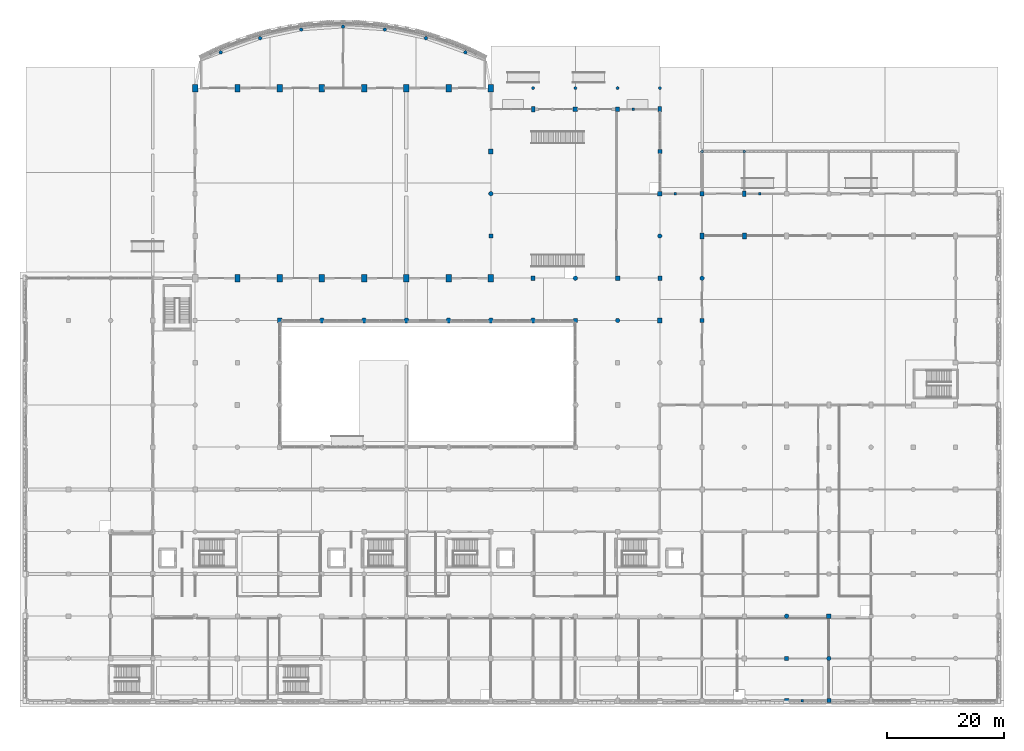
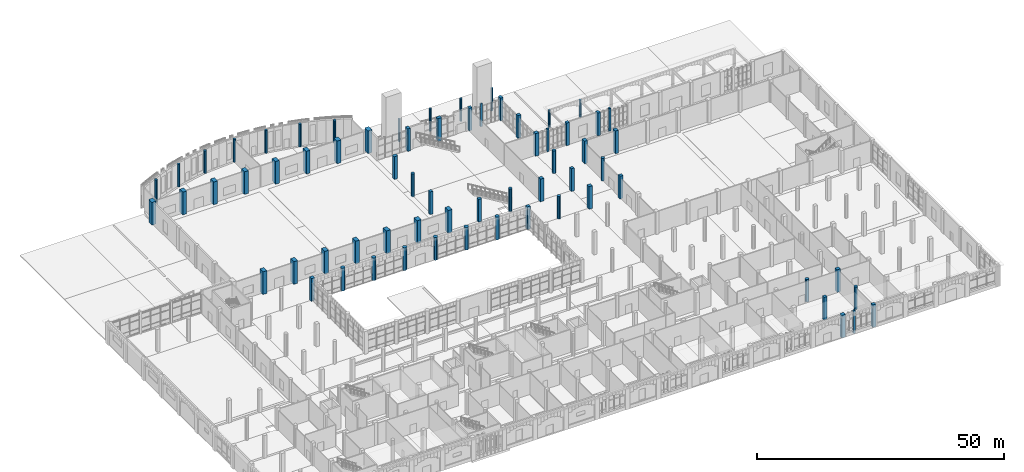
# One storey, part 6 of 85: 68 columns.
"""IFC4 building model written with IfcOpenShell, lengths in metres."""

import ifcopenshell
import ifcopenshell.guid

model = None  # the IFC model being written
_history = None  # IfcOwnerHistory: only IFC2X3 demands one
_inside = {}  # id of a spatial element -> (the spatial element, [elements in it])
_under = {}  # id of a project, library or spatial element -> (it, [spatial elements below it])
_declared = {}  # id of a project -> (the project, [libraries it declares])
_typed = {}  # id of a type object -> (the type object, [elements of that type])
_made_of = {}  # id of a material, layer set ... -> (it, [elements and type objects made of it])


def new_model(schema):
    """Start an empty IFC model of exactly this schema.

    Asked for "IFC4X3", IfcOpenShell would pick the latest addendum, in which some entities
    have other attributes; the version numbers below select the first issue.
    IFC2X3 requires an IfcOwnerHistory on every rooted entity: one is made here for all.
    """
    global model, _history
    if schema == "IFC4X3":
        model = ifcopenshell.file(schema_version=(4, 3, 0, 0))
    else:
        model = ifcopenshell.file(schema=schema)
    _inside.clear()
    _under.clear()
    _declared.clear()
    _typed.clear()
    _made_of.clear()
    _history = None
    if model.schema == "IFC2X3":
        org = make("IfcOrganization", Name="unknown")
        user = make(
            "IfcPersonAndOrganization",
            ThePerson=make("IfcPerson", FamilyName="unknown"),
            TheOrganization=org,
        )
        app = make(
            "IfcApplication",
            ApplicationDeveloper=org,
            Version="unknown",
            ApplicationFullName="unknown",
            ApplicationIdentifier="unknown",
        )
        _history = make(
            "IfcOwnerHistory",
            OwningUser=user,
            OwningApplication=app,
            ChangeAction="ADDED",
            CreationDate=0,
        )
    return model


def make(cls, **values):
    """One entity of the class cls with the attributes given. An attribute that is None is left unset."""
    return model.create_entity(
        cls, **{name: value for name, value in values.items() if value is not None}
    )


def rooted(cls, **values):
    """An entity with a GlobalId (a new one), such as an element, a storey or a relation."""
    return make(cls, GlobalId=ifcopenshell.guid.new(), OwnerHistory=_history, **values)


def si_unit(unit_type, name, prefix=None):
    """IfcSIUnit, for example si_unit("LENGTHUNIT", "METRE", prefix="MILLI")."""
    return make("IfcSIUnit", UnitType=unit_type, Prefix=prefix, Name=name)


def assignment(units):
    """IfcUnitAssignment: the units of a project."""
    return None if units is None else make("IfcUnitAssignment", Units=units)


def point(xyz):
    """IfcCartesianPoint."""
    return None if xyz is None else make("IfcCartesianPoint", Coordinates=xyz)


def direction(xyz):
    """IfcDirection."""
    return None if xyz is None else make("IfcDirection", DirectionRatios=xyz)


def frame(location, z_axis=None, x_axis=None):
    """IfcAxis2Placement3D, a coordinate frame: its origin and axes. An axis left out is left unset."""
    return make(
        "IfcAxis2Placement3D",
        Location=point(location),
        Axis=direction(z_axis),
        RefDirection=direction(x_axis),
    )


def frame_2d(location, x_axis=None):
    """IfcAxis2Placement2D, a coordinate frame in the plane: its origin and x axis."""
    return make(
        "IfcAxis2Placement2D", Location=point(location), RefDirection=direction(x_axis)
    )


def origin():
    """The frame at (0, 0, 0) with its axes left unset."""
    return frame((0.0, 0.0, 0.0))


def origin_2d():
    """The frame at (0, 0) in the plane with its x axis left unset."""
    return frame_2d((0.0, 0.0))


def place(relative_to, where):
    """IfcLocalPlacement: puts the frame where relative to a parent placement (None: the world)."""
    return make(
        "IfcLocalPlacement", PlacementRelTo=relative_to, RelativePlacement=where
    )


def context(
    kind, dimensions, precision=None, world=None, true_north=None, identifier=None
):
    """IfcGeometricRepresentationContext, for example the 3D "Model" context."""
    return make(
        "IfcGeometricRepresentationContext",
        ContextIdentifier=identifier,
        ContextType=kind,
        CoordinateSpaceDimension=dimensions,
        Precision=precision,
        WorldCoordinateSystem=world,
        TrueNorth=true_north,
    )


def subcontext(parent, identifier, kind, view, scale=None):
    """IfcGeometricRepresentationSubContext, for example "Body" below "Model"."""
    return make(
        "IfcGeometricRepresentationSubContext",
        ContextIdentifier=identifier,
        ContextType=kind,
        ParentContext=parent,
        TargetScale=scale,
        TargetView=view,
    )


def project(units=None, contexts=None):
    """IfcProject with its units and contexts."""
    return rooted(
        "IfcProject",
        Name="project",
        RepresentationContexts=contexts,
        UnitsInContext=assignment(units),
    )


def spatial(cls, under=None, at=None, **own):
    """A site, building, storey or space (cls), placed at a placement, below another one or the project."""
    s = rooted(cls, ObjectPlacement=at, **own)
    if under is not None:
        _under.setdefault(under.id(), (under, []))[1].append(s)
    return s


def profile(cls, at=None, kind="AREA", **sizes):
    """A parametric profile (cls). Its sizes go by their IFC names, for example OverallWidth=200.0."""
    return make(cls, ProfileType=kind, Position=at, **sizes)


def rectangle(**sizes):
    """IfcRectangleProfileDef."""
    return profile("IfcRectangleProfileDef", **sizes)


def circle(**sizes):
    """IfcCircleProfileDef."""
    return profile("IfcCircleProfileDef", **sizes)


def extrude(swept, where, along, depth):
    """IfcExtrudedAreaSolid: the profile swept, set in the frame where, extruded along a direction by depth."""
    return make(
        "IfcExtrudedAreaSolid",
        SweptArea=swept,
        Position=where,
        ExtrudedDirection=direction(along),
        Depth=depth,
    )


def shape(context_of_items, identifier, shape_type, items):
    """IfcShapeRepresentation: the items that make up one representation, for example the "Body"."""
    return make(
        "IfcShapeRepresentation",
        ContextOfItems=context_of_items,
        RepresentationIdentifier=identifier,
        RepresentationType=shape_type,
        Items=items,
    )


def material(Name=None, Category=None):
    """IfcMaterial."""
    return make("IfcMaterial", Name=Name, Category=Category)


def material_profile(
    of_material, cross_section, Name=None, Category=None, Priority=None
):
    """IfcMaterialProfile: a cross section and its material."""
    return make(
        "IfcMaterialProfile",
        Name=Name,
        Material=of_material,
        Profile=cross_section,
        Priority=Priority,
        Category=Category,
    )


def profile_set(profiles, Name=None, composite=None):
    """IfcMaterialProfileSet."""
    return make(
        "IfcMaterialProfileSet",
        Name=Name,
        MaterialProfiles=profiles,
        CompositeProfile=composite,
    )


def made_of(thing, what):
    """Note that an element or type object is made of a material, layer set ...; save() writes the relation."""
    if what is not None:
        _made_of.setdefault(what.id(), (what, []))[1].append(thing)
    return thing


def type_object(cls, material=None, **own):
    """A type object (cls), such as IfcWallType, which elements share."""
    return made_of(rooted(cls, **own), material)


def element(
    cls,
    number,
    at=None,
    inside=None,
    cuts=None,
    type_object=None,
    material=None,
    context=None,
    identifier="Body",
    shape_type=None,
    held_by="IfcProductDefinitionShape",
    body=None,
    shapes=None,
    **own,
):
    """One element of the class cls, such as IfcWall. Its Tag is "e" and its number.

    at: its placement. inside: the storey or other place that contains it. cuts: it is an
    opening in that element (IfcRelVoidsElement). A single representation is given by context,
    identifier, shape_type and body (its items); several are given by shapes. held_by: the class
    of the entity that holds the representations. save() writes the other relations.
    """
    e = rooted(cls, Tag="e%d" % number, ObjectPlacement=at, **own)
    if body is not None:
        shapes = [shape(context, identifier, shape_type, body)]
    if shapes is not None:
        e.Representation = make(held_by, Representations=shapes)
    if inside is not None:
        _inside.setdefault(inside.id(), (inside, []))[1].append(e)
    if cuts is not None:
        rooted(
            "IfcRelVoidsElement", RelatingBuildingElement=cuts, RelatedOpeningElement=e
        )
    if type_object is not None:
        _typed.setdefault(type_object.id(), (type_object, []))[1].append(e)
    return made_of(e, material)


def aggregate(whole, parts):
    """IfcRelAggregates: a whole, such as a stair, and the parts it consists of."""
    return rooted("IfcRelAggregates", RelatingObject=whole, RelatedObjects=parts)


def save(model, path):
    """Write the relations noted so far, then the file.

    IfcRelAggregates (storeys below a building ...), IfcRelContainedInSpatialStructure (elements
    in a storey), IfcRelDefinesByType, IfcRelAssociatesMaterial and IfcRelDeclares: one each for
    every whole, place, type object, material and project.
    """
    for whole, parts in _under.values():
        aggregate(whole, parts)
    for where, things in _inside.values():
        rooted(
            "IfcRelContainedInSpatialStructure",
            RelatedElements=things,
            RelatingStructure=where,
        )
    for kind, things in _typed.values():
        rooted("IfcRelDefinesByType", RelatedObjects=things, RelatingType=kind)
    for what, things in _made_of.values():
        rooted("IfcRelAssociatesMaterial", RelatedObjects=things, RelatingMaterial=what)
    for by, libraries in _declared.values():
        rooted("IfcRelDeclares", RelatingContext=by, RelatedDefinitions=libraries)
    model.write(path)


model = new_model("IFC4")

# Units and contexts
model_context = context("Model", 3, precision=1e-05, world=origin(), true_north=direction((0.0, 1.0)))
body_context = subcontext(model_context, "Body", "Model", "MODEL_VIEW")
ifc_project = project(units=[si_unit("LENGTHUNIT", "METRE"), si_unit("AREAUNIT", "SQUARE_METRE"), si_unit("VOLUMEUNIT", "CUBIC_METRE"), si_unit("PLANEANGLEUNIT", "RADIAN"), si_unit("MASSUNIT", "GRAM", prefix="KILO")], contexts=[model_context])

# Site, building, storey
site_placement = place(None, origin())
site = spatial("IfcSite", under=ifc_project, at=site_placement, CompositionType="ELEMENT")
building_placement = place(site_placement, origin())
building = spatial("IfcBuilding", under=site, at=building_placement, Name="Sardonyx Promenade Sports Hall", CompositionType="ELEMENT")
storey_placement = place(building_placement, origin())
storey = spatial("IfcBuildingStorey", under=building, at=storey_placement, Name="L00", CompositionType="ELEMENT", Elevation=0.0)

# Columns
ifc_material_1 = material(Name="Concrete C40/50", Category="concrete")
ifc_material_profile_1 = material_profile(ifc_material_1, rectangle(XDim=0.449951171875, YDim=0.449951171875, at=origin_2d()))
ifc_profile_set_1 = profile_set([ifc_material_profile_1], Name="Concrete C40/50")
column_type_1 = type_object("IfcColumnType", Name="Col_Ext_RC450", PredefinedType="PILASTER", material=ifc_profile_set_1)
for number, where, z_axis, x_axis, name in (
    (1, (132.25, 0.0, 0.0), (0.0, 0.0, 1.0), (1.0, 0.0, 0.0), "Sandstone facade pilaster #7"),
    (2, (103.449951171875, 100.800048828125, 0.0), (0.0, 0.0, 1.0), (1.0, 0.0, 0.0), "Sandstone facade pilaster #8"),
    (3, (110.64990234375, 86.39990234375, 0.0), (0.0, 0.0, 1.0), (1.0, 0.0, 0.0), "Sandstone facade pilaster #9"),
    (4, (125.050048828125, 86.39990234375, 0.0), (0.0, 0.0, 1.0), (1.0, 0.0, 0.0), "Sandstone facade pilaster #10"),
):
    element("IfcColumn", number, at=place(storey_placement, frame(where, z_axis=z_axis, x_axis=x_axis)), inside=storey, type_object=column_type_1, Name=name, PredefinedType="PILASTER", context=body_context, shape_type="SweptSolid", body=[
        extrude(rectangle(XDim=0.449951171875, YDim=0.449951171875, at=origin_2d()), origin(), (0.0, 0.0, 1.0), 5.60009765625),
    ])
ifc_material_2 = material(Name="Concrete C40/50", Category="concrete")
ifc_material_profile_2 = material_profile(ifc_material_2, rectangle(XDim=0.60009765625, YDim=0.89990234375, at=origin_2d()))
ifc_profile_set_2 = profile_set([ifc_material_profile_2], Name="Concrete C40/50")
column_type_2 = type_object("IfcColumnType", Name="Col_Ext_RC600x900", PredefinedType="COLUMN", material=ifc_profile_set_2)
for number, where, z_axis, x_axis, name in (
    (5, (86.39990234375, 100.800048828125, 0.0), (0.0, 0.0, 1.0), (1.0, 0.0, 0.0), "Column CE12 L00 (86.4,100.8)"),
    (6, (108.0, 100.800048828125, 0.0), (0.0, 0.0, 1.0), (1.0, 0.0, 0.0), "Column CE12 L00 (108.0,100.8)"),
    (7, (122.39990234375, 86.39990234375, 0.0), (0.0, 0.0, 1.0), (1.0, 0.0, 0.0), "Column CE12 L00 (122.4,86.4)"),
):
    element("IfcColumn", number, at=place(storey_placement, frame(where, z_axis=z_axis, x_axis=x_axis)), inside=storey, type_object=column_type_2, Name=name, PredefinedType="COLUMN", context=body_context, shape_type="SweptSolid", body=[
        extrude(rectangle(XDim=0.60009765625, YDim=0.89990234375, at=origin_2d()), origin(), (0.0, 0.0, 1.0), 5.60009765625),
    ])
ifc_material_3 = material(Name="Concrete C40/50", Category="concrete")
ifc_material_profile_3 = material_profile(ifc_material_3, rectangle(XDim=0.699951171875, YDim=0.699951171875, at=origin_2d()))
ifc_profile_set_3 = profile_set([ifc_material_profile_3], Name="Concrete C40/50")
column_type_3 = type_object("IfcColumnType", Name="Col_Ext_RC700", PredefinedType="COLUMN", material=ifc_profile_set_3)
for number, where, z_axis, x_axis, name in (
    (8, (100.800048828125, 100.800048828125, 0.0), (0.0, 0.0, 1.0), (1.0, 0.0, 0.0), "Column CE05 L00 (100.8,100.8)"),
    (9, (108.0, 93.60009765625, 0.0), (0.0, 0.0, 1.0), (1.0, 0.0, 0.0), "Column CE05 L00 (108.0,93.6)"),
    (10, (115.199951171875, 86.39990234375, 0.0), (0.0, 0.0, 1.0), (1.0, 0.0, 0.0), "Column CE05 L00 (115.2,86.4)"),
    (11, (136.800048828125, 0.0, 0.0), (0.0, 0.0, 1.0), (1.0, 0.0, 0.0), "Column CE05 L00 (136.8,0.0)"),
):
    element("IfcColumn", number, at=place(storey_placement, frame(where, z_axis=z_axis, x_axis=x_axis)), inside=storey, type_object=column_type_3, Name=name, PredefinedType="COLUMN", context=body_context, shape_type="SweptSolid", body=[
        extrude(rectangle(XDim=0.699951171875, YDim=0.699951171875, at=origin_2d()), origin(), (0.0, 0.0, 1.0), 5.60009765625),
    ])
ifc_material_4 = material(Name="Concrete C50/60", Category="concrete")
ifc_material_profile_4 = material_profile(ifc_material_4, rectangle(XDim=0.699951171875, YDim=1.0, at=origin_2d()))
ifc_profile_set_4 = profile_set([ifc_material_profile_4], Name="Concrete C50/60")
column_type_4 = type_object("IfcColumnType", Name="Col_Ext_RC700x1000", PredefinedType="COLUMN", material=ifc_profile_set_4)
for number, where, z_axis, x_axis, name in (
    (12, (115.199951171875, 79.199951171875, 0.0), (0.0, 0.0, 1.0), (1.0, 0.0, 0.0), "Column CE02 L00 (115.2,79.2)"),
    (13, (122.39990234375, 79.199951171875, 0.0), (0.0, 0.0, 1.0), (1.0, 0.0, 0.0), "Column CE02 L00 (122.4,79.2)"),
):
    element("IfcColumn", number, at=place(storey_placement, frame(where, z_axis=z_axis, x_axis=x_axis)), inside=storey, type_object=column_type_4, Name=name, PredefinedType="COLUMN", context=body_context, shape_type="SweptSolid", body=[
        extrude(rectangle(XDim=0.699951171875, YDim=1.0, at=origin_2d()), origin(), (0.0, 0.0, 1.0), 5.60009765625),
    ])
ifc_material_5 = material(Name="Concrete C50/60", Category="concrete")
ifc_material_profile_5 = material_profile(ifc_material_5, rectangle(XDim=0.800048828125, YDim=0.800048828125, at=origin_2d()))
ifc_profile_set_5 = profile_set([ifc_material_profile_5], Name="Concrete C50/60")
column_type_5 = type_object("IfcColumnType", Name="Col_Ext_RC800", PredefinedType="COLUMN", material=ifc_profile_set_5)
for number, where, z_axis, x_axis, name in (
    (14, (93.60009765625, 100.800048828125, 0.0), (0.0, 0.0, 1.0), (1.0, 0.0, 0.0), "Column CE13 L00 (93.6,100.8)"),
    (15, (129.60009765625, 0.0, 0.0), (0.0, 0.0, 1.0), (1.0, 0.0, 0.0), "Column CE13 L00 (129.6,0.0)"),
):
    element("IfcColumn", number, at=place(storey_placement, frame(where, z_axis=z_axis, x_axis=x_axis)), inside=storey, type_object=column_type_5, Name=name, PredefinedType="COLUMN", context=body_context, shape_type="SweptSolid", body=[
        extrude(rectangle(XDim=0.800048828125, YDim=0.800048828125, at=origin_2d()), origin(), (0.0, 0.0, 1.0), 5.60009765625),
    ])
ifc_material_6 = material(Name="Concrete C50/60", Category="concrete")
ifc_material_profile_6 = material_profile(ifc_material_6, rectangle(XDim=0.89990234375, YDim=1.300048828125, at=origin_2d()))
ifc_profile_set_6 = profile_set([ifc_material_profile_6], Name="Concrete C50/60")
column_type_6 = type_object("IfcColumnType", Name="Col_Ext_RC900x1300", PredefinedType="COLUMN", material=ifc_profile_set_6)
for number, where, z_axis, x_axis, name in (
    (16, (28.800048828125, 104.39990234375, 0.0), (0.0, 0.0, 1.0), (1.0, 0.0, 0.0), "Column CE06 L00 (28.8,104.4)"),
    (17, (36.0, 72.0, 0.0), (0.0, 0.0, 1.0), (1.0, 0.0, 0.0), "Column CE06 L00 (36.0,72.0)"),
    (18, (36.0, 104.39990234375, 0.0), (0.0, 0.0, 1.0), (1.0, 0.0, 0.0), "Column CE06 L00 (36.0,104.4)"),
    (19, (43.199951171875, 72.0, 0.0), (0.0, 0.0, 1.0), (1.0, 0.0, 0.0), "Column CE06 L00 (43.2,72.0)"),
    (20, (43.199951171875, 104.39990234375, 0.0), (0.0, 0.0, 1.0), (1.0, 0.0, 0.0), "Column CE06 L00 (43.2,104.4)"),
    (21, (50.39990234375, 72.0, 0.0), (0.0, 0.0, 1.0), (1.0, 0.0, 0.0), "Column CE06 L00 (50.4,72.0)"),
    (22, (50.39990234375, 104.39990234375, 0.0), (0.0, 0.0, 1.0), (1.0, 0.0, 0.0), "Column CE06 L00 (50.4,104.4)"),
    (23, (57.60009765625, 72.0, 0.0), (0.0, 0.0, 1.0), (1.0, 0.0, 0.0), "Column CE06 L00 (57.6,72.0)"),
    (24, (57.60009765625, 104.39990234375, 0.0), (0.0, 0.0, 1.0), (1.0, 0.0, 0.0), "Column CE06 L00 (57.6,104.4)"),
    (25, (64.800048828125, 72.0, 0.0), (0.0, 0.0, 1.0), (1.0, 0.0, 0.0), "Column CE06 L00 (64.8,72.0)"),
    (26, (64.800048828125, 104.39990234375, 0.0), (0.0, 0.0, 1.0), (1.0, 0.0, 0.0), "Column CE06 L00 (64.8,104.4)"),
    (27, (72.0, 72.0, 0.0), (0.0, 0.0, 1.0), (1.0, 0.0, 0.0), "Column CE06 L00 (72.0,72.0)"),
    (28, (72.0, 104.39990234375, 0.0), (0.0, 0.0, 1.0), (1.0, 0.0, 0.0), "Column CE06 L00 (72.0,104.4)"),
    (29, (79.199951171875, 72.0, 0.0), (0.0, 0.0, 1.0), (1.0, 0.0, 0.0), "Column CE06 L00 (79.2,72.0)"),
    (30, (79.199951171875, 104.39990234375, 0.0), (0.0, 0.0, 1.0), (1.0, 0.0, 0.0), "Column CE06 L00 (79.2,104.4)"),
):
    element("IfcColumn", number, at=place(storey_placement, frame(where, z_axis=z_axis, x_axis=x_axis)), inside=storey, type_object=column_type_6, Name=name, PredefinedType="COLUMN", context=body_context, shape_type="SweptSolid", body=[
        extrude(rectangle(XDim=0.89990234375, YDim=1.300048828125, at=origin_2d()), origin(), (0.0, 0.0, 1.0), 5.60009765625),
    ])
ifc_material_7 = material(Name="Concrete C40/50", Category="concrete")
ifc_material_profile_7 = material_profile(ifc_material_7, circle(Radius=0.25, at=origin_2d()))
ifc_profile_set_7 = profile_set([ifc_material_profile_7], Name="Concrete C40/50")
column_type_7 = type_object("IfcColumnType", Name="Col_Ext_RCD500", PredefinedType="COLUMN", material=ifc_profile_set_7)
for number, where, z_axis, x_axis, name in (
    (31, (86.39990234375, 104.39990234375, 0.0), (0.0, 0.0, 1.0), (1.0, 0.0, 0.0), "Column CE14 L00 (86.4,104.4)"),
    (32, (93.60009765625, 104.39990234375, 0.0), (0.0, 0.0, 1.0), (1.0, 0.0, 0.0), "Column CE14 L00 (93.6,104.4)"),
    (33, (100.800048828125, 104.39990234375, 0.0), (0.0, 0.0, 1.0), (1.0, 0.0, 0.0), "Column CE14 L00 (100.8,104.4)"),
    (34, (108.0, 104.39990234375, 0.0), (0.0, 0.0, 1.0), (1.0, 0.0, 0.0), "Column CE14 L00 (108.0,104.4)"),
):
    element("IfcColumn", number, at=place(storey_placement, frame(where, z_axis=z_axis, x_axis=x_axis)), inside=storey, type_object=column_type_7, Name=name, PredefinedType="COLUMN", context=body_context, shape_type="SweptSolid", body=[
        extrude(circle(Radius=0.25, at=origin_2d()), origin(), (0.0, 0.0, 1.0), 5.60009765625),
    ])
for number, where, z_axis, x_axis, name in (
    (35, (115.199951171875, 93.60009765625, 0.0), (0.0, 0.0, 1.0), (1.0, 0.0, 0.0), "Column CE14 L00 (115.2,93.6)"),
    (36, (122.39990234375, 93.60009765625, 0.0), (0.0, 0.0, 1.0), (1.0, 0.0, 0.0), "Column CE14 L00 (122.4,93.6)"),
):
    element("IfcColumn", number, at=place(storey_placement, frame(where, z_axis=z_axis, x_axis=x_axis)), inside=storey, type_object=column_type_7, Name=name, PredefinedType="COLUMN", context=body_context, shape_type="SweptSolid", body=[
        extrude(circle(Radius=0.25, at=origin_2d()), origin(), (0.0, 0.0, 1.0), 4.199951171875),
    ])
ifc_material_8 = material(Name="Concrete C40/50", Category="concrete")
ifc_material_profile_8 = material_profile(ifc_material_8, circle(Radius=0.300048828125, at=origin_2d()))
ifc_profile_set_8 = profile_set([ifc_material_profile_8], Name="Concrete C40/50")
column_type_8 = type_object("IfcColumnType", Name="Col_Ext_RCD600", PredefinedType="COLUMN", material=ifc_profile_set_8)
for number, where, z_axis, x_axis, name in (
    (37, (33.14404296875, 110.48486328125, 0.0), (0.0, 0.0, 1.0), (1.0, 0.0, 0.0), "Column CE15 L00 (33.1,110.5)"),
    (38, (39.8701171875, 112.910888671875, 0.0), (0.0, 0.0, 1.0), (1.0, 0.0, 0.0), "Column CE15 L00 (39.9,112.9)"),
    (39, (46.86669921875, 114.38525390625, 0.0), (0.0, 0.0, 1.0), (1.0, 0.0, 0.0), "Column CE15 L00 (46.9,114.4)"),
    (40, (54.0, 114.8798828125, 0.0), (0.0, 0.0, 1.0), (1.0, 0.0, 0.0), "Column CE15 L00 (54.0,114.9)"),
    (41, (61.13330078125, 114.38525390625, 0.0), (0.0, 0.0, 1.0), (1.0, 0.0, 0.0), "Column CE15 L00 (61.1,114.4)"),
    (42, (68.1298828125, 112.910888671875, 0.0), (0.0, 0.0, 1.0), (1.0, 0.0, 0.0), "Column CE15 L00 (68.1,112.9)"),
    (43, (74.85595703125, 110.48486328125, 0.0), (0.0, 0.0, 1.0), (1.0, 0.0, 0.0), "Column CE15 L00 (74.9,110.5)"),
):
    element("IfcColumn", number, at=place(storey_placement, frame(where, z_axis=z_axis, x_axis=x_axis)), inside=storey, type_object=column_type_8, Name=name, PredefinedType="COLUMN", context=body_context, shape_type="SweptSolid", body=[
        extrude(circle(Radius=0.300048828125, at=origin_2d()), origin(), (0.0, 0.0, 1.0), 5.60009765625),
    ])
ifc_material_9 = material(Name="Concrete C50/60", Category="concrete")
ifc_material_profile_9 = material_profile(ifc_material_9, circle(Radius=0.449951171875, at=origin_2d()))
ifc_profile_set_9 = profile_set([ifc_material_profile_9], Name="Concrete C50/60")
column_type_9 = type_object("IfcColumnType", Name="Col_Ext_RCD900", PredefinedType="COLUMN", material=ifc_profile_set_9)
for number, where, z_axis, x_axis, name in (
    (44, (50.39990234375, 64.800048828125, 0.0), (0.0, 0.0, 1.0), (1.0, 0.0, 0.0), "Column CE04 L00 (50.4,64.8)"),
    (45, (57.60009765625, 64.800048828125, 0.0), (0.0, 0.0, 1.0), (1.0, 0.0, 0.0), "Column CE04 L00 (57.6,64.8)"),
    (46, (64.800048828125, 64.800048828125, 0.0), (0.0, 0.0, 1.0), (1.0, 0.0, 0.0), "Column CE04 L00 (64.8,64.8)"),
    (47, (72.0, 64.800048828125, 0.0), (0.0, 0.0, 1.0), (1.0, 0.0, 0.0), "Column CE04 L00 (72.0,64.8)"),
    (48, (79.199951171875, 64.800048828125, 0.0), (0.0, 0.0, 1.0), (1.0, 0.0, 0.0), "Column CE04 L00 (79.2,64.8)"),
    (49, (86.39990234375, 64.800048828125, 0.0), (0.0, 0.0, 1.0), (1.0, 0.0, 0.0), "Column CE04 L00 (86.4,64.8)"),
):
    element("IfcColumn", number, at=place(storey_placement, frame(where, z_axis=z_axis, x_axis=x_axis)), inside=storey, type_object=column_type_9, Name=name, PredefinedType="COLUMN", context=body_context, shape_type="SweptSolid", body=[
        extrude(circle(Radius=0.449951171875, at=origin_2d()), origin(), (0.0, 0.0, 1.0), 5.60009765625),
    ])
ifc_material_10 = material(Name="Concrete C50/60", Category="concrete")
ifc_material_profile_10 = material_profile(ifc_material_10, rectangle(XDim=0.699951171875, YDim=0.699951171875, at=origin_2d()))
ifc_profile_set_10 = profile_set([ifc_material_profile_10], Name="Concrete C50/60")
column_type_10 = type_object("IfcColumnType", Name="Col_Int_RC700", PredefinedType="COLUMN", material=ifc_profile_set_10)
for number, where, z_axis, x_axis, name in (
    (50, (79.199951171875, 79.199951171875, 0.0), (0.0, 0.0, 1.0), (1.0, 0.0, 0.0), "Column CI03 L00 (79.2,79.2)"),
    (51, (86.39990234375, 72.0, 0.0), (0.0, 0.0, 1.0), (1.0, 0.0, 0.0), "Column CI03 L00 (86.4,72.0)"),
    (52, (93.60009765625, 64.800048828125, 0.0), (0.0, 0.0, 1.0), (1.0, 0.0, 0.0), "Column CI03 L00 (93.6,64.8)"),
    (53, (108.0, 72.0, 0.0), (0.0, 0.0, 1.0), (1.0, 0.0, 0.0), "Column CI03 L00 (108.0,72.0)"),
    (54, (115.199951171875, 64.800048828125, 0.0), (0.0, 0.0, 1.0), (1.0, 0.0, 0.0), "Column CI03 L00 (115.2,64.8)"),
    (55, (129.60009765625, 7.199951171875, 0.0), (0.0, 0.0, 1.0), (1.0, 0.0, 0.0), "Column CI03 L00 (129.6,7.2)"),
):
    element("IfcColumn", number, at=place(storey_placement, frame(where, z_axis=z_axis, x_axis=x_axis)), inside=storey, type_object=column_type_10, Name=name, PredefinedType="COLUMN", context=body_context, shape_type="SweptSolid", body=[
        extrude(rectangle(XDim=0.699951171875, YDim=0.699951171875, at=origin_2d()), origin(), (0.0, 0.0, 1.0), 5.60009765625),
    ])
ifc_material_11 = material(Name="Concrete C50/60", Category="concrete")
ifc_material_profile_11 = material_profile(ifc_material_11, rectangle(XDim=0.800048828125, YDim=0.800048828125, at=origin_2d()))
ifc_profile_set_11 = profile_set([ifc_material_profile_11], Name="Concrete C50/60")
column_type_11 = type_object("IfcColumnType", Name="Col_Int_RC800", PredefinedType="COLUMN", material=ifc_profile_set_11)
for number, where, z_axis, x_axis, name in (
    (56, (43.199951171875, 64.800048828125, 0.0), (0.0, 0.0, 1.0), (1.0, 0.0, 0.0), "Column CI01 L00 (43.2,64.8)"),
    (57, (79.199951171875, 93.60009765625, 0.0), (0.0, 0.0, 1.0), (1.0, 0.0, 0.0), "Column CI01 L00 (79.2,93.6)"),
    (58, (100.800048828125, 72.0, 0.0), (0.0, 0.0, 1.0), (1.0, 0.0, 0.0), "Column CI01 L00 (100.8,72.0)"),
    (59, (108.0, 64.800048828125, 0.0), (0.0, 0.0, 1.0), (1.0, 0.0, 0.0), "Column CI01 L00 (108.0,64.8)"),
    (60, (108.0, 86.39990234375, 0.0), (0.0, 0.0, 1.0), (1.0, 0.0, 0.0), "Column CI01 L00 (108.0,86.4)"),
    (61, (136.800048828125, 14.39990234375, 0.0), (0.0, 0.0, 1.0), (1.0, 0.0, 0.0), "Column CI01 L00 (136.8,14.4)"),
):
    element("IfcColumn", number, at=place(storey_placement, frame(where, z_axis=z_axis, x_axis=x_axis)), inside=storey, type_object=column_type_11, Name=name, PredefinedType="COLUMN", context=body_context, shape_type="SweptSolid", body=[
        extrude(rectangle(XDim=0.800048828125, YDim=0.800048828125, at=origin_2d()), origin(), (0.0, 0.0, 1.0), 5.60009765625),
    ])
ifc_material_12 = material(Name="Concrete C50/60", Category="concrete")
ifc_material_profile_12 = material_profile(ifc_material_12, circle(Radius=0.375, at=origin_2d()))
ifc_profile_set_12 = profile_set([ifc_material_profile_12], Name="Concrete C50/60")
column_type_12 = type_object("IfcColumnType", Name="Col_Int_RCD750", PredefinedType="COLUMN", material=ifc_profile_set_12)
for number, where, z_axis, x_axis, name in (
    (62, (79.199951171875, 86.39990234375, 0.0), (0.0, 0.0, 1.0), (1.0, 0.0, 0.0), "Column CI07 L00 (79.2,86.4)"),
    (63, (93.60009765625, 72.0, 0.0), (0.0, 0.0, 1.0), (1.0, 0.0, 0.0), "Column CI07 L00 (93.6,72.0)"),
    (64, (100.800048828125, 64.800048828125, 0.0), (0.0, 0.0, 1.0), (1.0, 0.0, 0.0), "Column CI07 L00 (100.8,64.8)"),
    (65, (108.0, 79.199951171875, 0.0), (0.0, 0.0, 1.0), (1.0, 0.0, 0.0), "Column CI07 L00 (108.0,79.2)"),
    (66, (115.199951171875, 72.0, 0.0), (0.0, 0.0, 1.0), (1.0, 0.0, 0.0), "Column CI07 L00 (115.2,72.0)"),
    (67, (129.60009765625, 14.39990234375, 0.0), (0.0, 0.0, 1.0), (1.0, 0.0, 0.0), "Column CI07 L00 (129.6,14.4)"),
    (68, (136.800048828125, 7.199951171875, 0.0), (0.0, 0.0, 1.0), (1.0, 0.0, 0.0), "Column CI07 L00 (136.8,7.2)"),
):
    element("IfcColumn", number, at=place(storey_placement, frame(where, z_axis=z_axis, x_axis=x_axis)), inside=storey, type_object=column_type_12, Name=name, PredefinedType="COLUMN", context=body_context, shape_type="SweptSolid", body=[
        extrude(circle(Radius=0.375, at=origin_2d()), origin(), (0.0, 0.0, 1.0), 5.60009765625),
    ])

save(model, "model.ifc")
